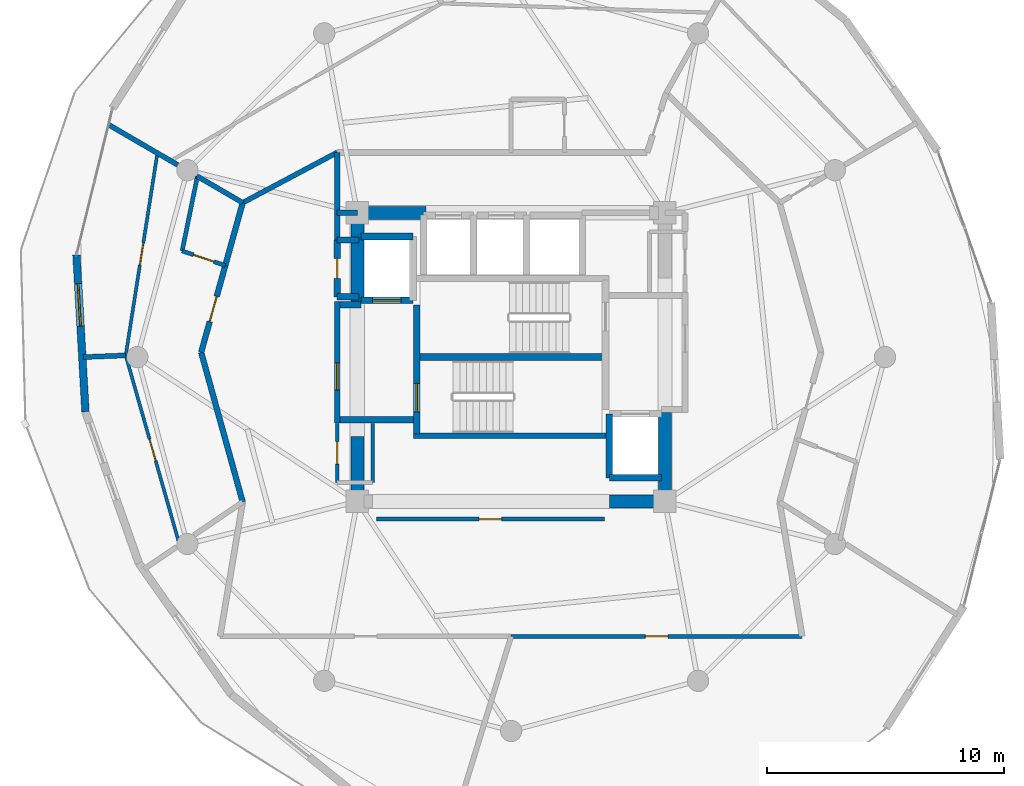
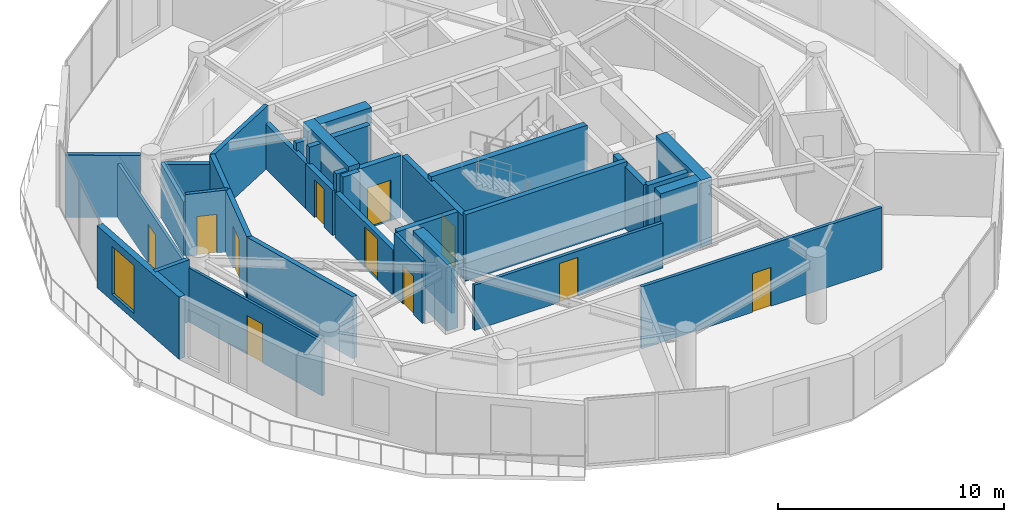
# One storey, part 14 of 18: 36 walls, 11 doors, 1 window, 12 openings.
"""IFC4 building model written with IfcOpenShell, lengths in metres."""

from ifc_helpers import new_model, si_unit, direction, frame, frame_2d, origin, place, context, subcontext, project, spatial, rectangle, extrude, material, layer, layer_set, type_object, element, fill, save


model = new_model("IFC4")

# Units and contexts
model_context = context("Model", 3, precision=1e-05, world=origin(), true_north=direction((0.0, 1.0)))
body_context = subcontext(model_context, "Body", "Model", "MODEL_VIEW")
ifc_project = project(units=[si_unit("LENGTHUNIT", "METRE"), si_unit("AREAUNIT", "SQUARE_METRE"), si_unit("VOLUMEUNIT", "CUBIC_METRE"), si_unit("PLANEANGLEUNIT", "RADIAN"), si_unit("MASSUNIT", "GRAM", prefix="KILO")], contexts=[model_context])

# Site, building, storey
site_placement = place(None, origin())
site = spatial("IfcSite", under=ifc_project, at=site_placement, CompositionType="ELEMENT")
building_placement = place(site_placement, origin())
building = spatial("IfcBuilding", under=site, at=building_placement, Name="Solvirekh Grand Hotel", CompositionType="ELEMENT")
storey_placement = place(building_placement, frame((0.0, 0.0, 198.39990234375)))
storey = spatial("IfcBuildingStorey", under=building, at=storey_placement, Name="L51", CompositionType="ELEMENT", Elevation=198.39990234375)

# Wall
ifc_material_1 = material(Name="Concrete C50/60", Category="concrete")
ifc_layer_1 = layer(ifc_material_1, 0.35009765625)
ifc_layer_set_1 = layer_set([ifc_layer_1], Name="Concrete C50/60")
wall_type_1 = type_object("IfcWallType", Name="CoreDivWall_RC350", PredefinedType="SOLIDWALL", material=ifc_layer_set_1)
wall_1_placement = place(storey_placement, frame((-4.1298828125, -3.324951171875, 0.0), z_axis=(0.0, 0.0, 1.0), x_axis=(1.0, 0.0, 0.0)))
element("IfcWall", 1, at=wall_1_placement, inside=storey, type_object=wall_type_1, Name="L51 core stair box wall ST-S", PredefinedType="SOLIDWALL", context=body_context, shape_type="SweptSolid", body=[
    extrude(rectangle(XDim=8.259765625, YDim=0.25, at=frame_2d((4.1298828125, 0.0))), origin(), (0.0, 0.0, 1.0), 3.60009765625),
])

# Wall, opening, door
ifc_material_2 = material(Name="Concrete C40/50", Category="concrete")
ifc_layer_2 = layer(ifc_material_2, 0.280029296875)
ifc_layer_set_2 = layer_set([ifc_layer_2], Name="Concrete C40/50")
wall_type_2 = type_object("IfcWallType", Name="CoreShaftWall_RC280", PredefinedType="SOLIDWALL", material=ifc_layer_set_2)
wall_2_placement = place(storey_placement, frame((-6.35009765625, 2.39990234375, 0.0), z_axis=(0.0, 0.0, 1.0), x_axis=(1.0, 0.0, 0.0)))
wall_2 = element("IfcWall", 2, at=wall_2_placement, inside=storey, type_object=wall_type_2, Name="L51 FL-1 hoistway S wall", PredefinedType="SOLIDWALL", context=body_context, shape_type="SweptSolid", body=[
    extrude(rectangle(XDim=2.2001953125, YDim=0.280029296875, at=frame_2d((1.10009765625, 0.0))), origin(), (0.0, 0.0, 1.0), 3.360107421875),
])
opening_1_placement = place(wall_2_placement, frame((0.5, 0.0, 0.0)))
opening_1 = element("IfcOpeningElement", 3, at=opening_1_placement, cuts=wall_2, Name="Opening LD02", PredefinedType="OPENING", context=body_context, shape_type="SweptSolid", body=[
    extrude(rectangle(XDim=1.199951171875, YDim=2.199951171875, at=frame_2d((0.60009765625, 1.10009765625))), frame((0.0, 0.14990234375, 0.0), z_axis=(0.0, -1.0, 0.0), x_axis=(1.0, 0.0, 0.0)), (0.0, 0.0, 1.0), 0.300048828125),
])
ifc_material_3 = material(Name="Fire-Rated Steel Door Assembly", Category="steel")
door_type_1 = type_object("IfcDoorType", Name="Door_LiftFF_1200X2200", OperationType="SLIDING_TO_LEFT", PredefinedType="DOOR", material=ifc_material_3)
door_1_placement = place(opening_1_placement, origin())
door_1 = element("IfcDoor", 4, at=door_1_placement, inside=storey, type_object=door_type_1, Name="L51 FL-1 sliding lift landing door", OperationType="SLIDING_TO_LEFT", OverallHeight=2.199951171875, OverallWidth=1.199951171875, PredefinedType="DOOR", context=body_context, shape_type="SweptSolid", body=[
    extrude(rectangle(XDim=1.199951171875, YDim=2.199951171875, at=frame_2d((0.60009765625, 1.10009765625))), frame((0.0, 0.02490234375, 0.0), z_axis=(0.0, -1.0, 0.0), x_axis=(1.0, 0.0, 0.0)), (0.0, 0.0, 1.0), 0.050048828125),
])
fill(opening_1, door_1)

# Walls
for number, where, z_axis, x_axis, name in (
    (5, (-4.14990234375, 5.10009765625, 0.0), (0.0, 0.0, 1.0), (-1.0, 0.0, 0.0), "L51 FL-1 hoistway N wall"),
    (6, (4.14990234375, -5.10009765625, 0.0), (0.0, 0.0, 1.0), (1.0, 0.0, 0.0), "L51 FL-2 hoistway S wall"),
):
    element("IfcWall", number, at=place(storey_placement, frame(where, z_axis=z_axis, x_axis=x_axis)), inside=storey, type_object=wall_type_2, Name=name, PredefinedType="SOLIDWALL", context=body_context, shape_type="SweptSolid", body=[
        extrude(rectangle(XDim=2.2001953125, YDim=0.280029296875, at=frame_2d((1.10009765625, 0.0))), origin(), (0.0, 0.0, 1.0), 3.360107421875),
    ])
wall_3_placement = place(storey_placement, frame((4.14990234375, -2.39990234375, 0.0), z_axis=(0.0, 0.0, 1.0), x_axis=(0.0, -1.0, 0.0)))
element("IfcWall", 7, at=wall_3_placement, inside=storey, type_object=wall_type_2, Name="L51 FL-2 hoistway W wall", PredefinedType="SOLIDWALL", context=body_context, shape_type="SweptSolid", body=[
    extrude(rectangle(XDim=2.7001953125, YDim=0.280029296875, at=frame_2d((1.35009765625, 0.0))), origin(), (0.0, 0.0, 1.0), 3.360107421875),
])

# Wall, opening, door
wall_4_placement = place(storey_placement, frame((-3.989990234375, -3.25, 0.0), z_axis=(0.0, 0.0, 1.0), x_axis=(0.0, 1.0, 0.0)))
wall_4 = element("IfcWall", 8, at=wall_4_placement, inside=storey, type_object=wall_type_2, Name="L51 west stair landing enclosure wall", PredefinedType="SOLIDWALL", context=body_context, shape_type="SweptSolid", body=[
    extrude(rectangle(XDim=5.4599609375, YDim=0.280029296875, at=frame_2d((2.72998046875, 0.0))), origin(), (0.0, 0.0, 1.0), 3.360107421875),
])
opening_2_placement = place(wall_4_placement, frame((0.93701171875, 0.0, 0.0)))
opening_2 = element("IfcOpeningElement", 9, at=opening_2_placement, cuts=wall_4, Name="Opening D05", PredefinedType="OPENING", context=body_context, shape_type="SweptSolid", body=[
    extrude(rectangle(XDim=1.199951171875, YDim=2.199951171875, at=frame_2d((0.60009765625, 1.10009765625))), frame((0.0, 0.14990234375, 0.0), z_axis=(0.0, -1.0, 0.0), x_axis=(1.0, 0.0, 0.0)), (0.0, 0.0, 1.0), 0.300048828125),
])
door_type_2 = type_object("IfcDoorType", Name="Door_StairCore_1200X2200", OperationType="NOTDEFINED", PredefinedType="DOOR", material=ifc_material_3)
door_2_placement = place(opening_2_placement, origin())
door_2 = element("IfcDoor", 10, at=door_2_placement, inside=storey, type_object=door_type_2, Name="L51 exit stair ST-1 fire door", OperationType="SINGLE_SWING_RIGHT", OverallHeight=2.199951171875, OverallWidth=1.199951171875, PredefinedType="DOOR", context=body_context, shape_type="SweptSolid", body=[
    extrude(rectangle(XDim=1.199951171875, YDim=2.199951171875, at=frame_2d((0.60009765625, 1.10009765625))), frame((0.0, 0.02490234375, 0.0), z_axis=(0.0, -1.0, 0.0), x_axis=(1.0, 0.0, 0.0)), (0.0, 0.0, 1.0), 0.050048828125),
])
fill(opening_2, door_2)

# Walls
ifc_layer_3 = layer(ifc_material_1, 0.550048828125)
ifc_layer_set_3 = layer_set([ifc_layer_3], Name="Concrete C50/60")
wall_type_3 = type_object("IfcWallType", Name="CoreWall_RC550", PredefinedType="SHEAR", material=ifc_layer_set_3)
wall_5_placement = place(storey_placement, frame((-3.989990234375, 0.0, 0.0), z_axis=(0.0, 0.0, 1.0), x_axis=(1.0, 0.0, 0.0)))
element("IfcWall", 11, at=wall_5_placement, inside=storey, type_object=wall_type_3, Name="L51 central stair-spine shear wall", PredefinedType="SHEAR", context=body_context, shape_type="SweptSolid", body=[
    extrude(rectangle(XDim=7.97998046875, YDim=0.300048828125, at=frame_2d((3.989990234375, 0.0))), origin(), (0.0, 0.0, 1.0), 3.60009765625),
])
wall_6_placement = place(storey_placement, frame((4.14990234375, -6.10009765625, 0.0), z_axis=(0.0, 0.0, 1.0), x_axis=(1.0, 0.0, 0.0)))
element("IfcWall", 12, at=wall_6_placement, inside=storey, type_object=wall_type_3, Name="L51 core corner shear wall SE-S", PredefinedType="SHEAR", context=body_context, shape_type="SweptSolid", body=[
    extrude(rectangle(XDim=2.0751953125, YDim=0.550048828125, at=frame_2d((1.03759765625, 0.0))), origin(), (0.0, 0.0, 1.0), 3.60009765625),
])
wall_7_placement = place(storey_placement, frame((-6.22509765625, 6.10009765625, 0.0), z_axis=(0.0, 0.0, 1.0), x_axis=(1.0, 0.0, 0.0)))
element("IfcWall", 13, at=wall_7_placement, inside=storey, type_object=wall_type_3, Name="L51 core corner shear wall NW-N", PredefinedType="SHEAR", context=body_context, shape_type="SweptSolid", body=[
    extrude(rectangle(XDim=2.625, YDim=0.550048828125, at=frame_2d((1.3125, 0.0))), origin(), (0.0, 0.0, 1.0), 3.60009765625),
])
wall_8_placement = place(storey_placement, frame((-6.5, 2.35009765625, 0.0), z_axis=(0.0, 0.0, 1.0), x_axis=(0.0, 1.0, 0.0)))
element("IfcWall", 14, at=wall_8_placement, inside=storey, type_object=wall_type_3, Name="L51 core corner shear wall WN-W", PredefinedType="SHEAR", context=body_context, shape_type="SweptSolid", body=[
    extrude(rectangle(XDim=4.02490234375, YDim=0.550048828125, at=frame_2d((2.012451171875, 0.0))), origin(), (0.0, 0.0, 1.0), 3.60009765625),
])
wall_9_placement = place(storey_placement, frame((-6.5, -6.375, 0.0), z_axis=(0.0, 0.0, 1.0), x_axis=(0.0, 1.0, 0.0)))
element("IfcWall", 15, at=wall_9_placement, inside=storey, type_object=wall_type_3, Name="L51 core corner shear wall WS-W", PredefinedType="SHEAR", context=body_context, shape_type="SweptSolid", body=[
    extrude(rectangle(XDim=3.02490234375, YDim=0.550048828125, at=frame_2d((1.512451171875, 0.0))), origin(), (0.0, 0.0, 1.0), 3.60009765625),
])
wall_10_placement = place(storey_placement, frame((6.5, -6.375, 0.0), z_axis=(0.0, 0.0, 1.0), x_axis=(0.0, 1.0, 0.0)))
element("IfcWall", 16, at=wall_10_placement, inside=storey, type_object=wall_type_3, Name="L51 core corner shear wall ES-E", PredefinedType="SHEAR", context=body_context, shape_type="SweptSolid", body=[
    extrude(rectangle(XDim=4.02490234375, YDim=0.550048828125, at=frame_2d((2.012451171875, 0.0))), origin(), (0.0, 0.0, 1.0), 3.60009765625),
])

# Wall, opening, window
ifc_material_4 = material(Name="Precast concrete C45/55", Category="concrete")
ifc_layer_4 = layer(ifc_material_4, 0.320068359375)
ifc_layer_set_4 = layer_set([ifc_layer_4], Name="Precast concrete C45/55")
wall_type_4 = type_object("IfcWallType", Name="ExtLobbyWall_RC320", PredefinedType="SOLIDWALL", material=ifc_layer_set_4)
wall_11_placement = place(storey_placement, frame((-17.990966796875, -2.30908203125, 0.0), z_axis=(0.0, 0.0, 1.0), x_axis=(-0.057275021698, 0.998358438583, 0.0)))
wall_11 = element("IfcWall", 17, at=wall_11_placement, inside=storey, type_object=wall_type_4, Name="L51 exterior structural wall chord 14", PredefinedType="SOLIDWALL", context=body_context, shape_type="SweptSolid", body=[
    extrude(rectangle(XDim=6.636962890625, YDim=0.320068359375, at=frame_2d((3.318359375, 0.0))), origin(), (0.0, 0.0, 1.0), 3.360107421875),
])
opening_3_placement = place(wall_11_placement, frame((3.6240234375, 0.0, 0.35009765625)))
opening_3 = element("IfcOpeningElement", 18, at=opening_3_placement, cuts=wall_11, Name="Opening W02", PredefinedType="OPENING", context=body_context, shape_type="SweptSolid", body=[
    extrude(rectangle(XDim=1.800048828125, YDim=2.60009765625, at=frame_2d((0.89990234375, 1.300048828125))), frame((0.0, 0.169921875, 0.0), z_axis=(0.0, -1.0, 0.0), x_axis=(1.0, 0.0, 0.0)), (0.0, 0.0, 1.0), 0.340087890625),
])
ifc_material_5 = material(Name="Low-E Tinted Bronze Laminated Glass", Category="aluminium")
window_type = type_object("IfcWindowType", Name="Win_LobbyExt_1800X2600", PartitioningType="SINGLE_PANEL", PredefinedType="WINDOW", material=ifc_material_5)
window_placement = place(opening_3_placement, origin())
window = element("IfcWindow", 19, at=window_placement, inside=storey, type_object=window_type, Name="L51 panoramic bronze-framed window 14", OverallHeight=2.60009765625, OverallWidth=1.800048828125, PartitioningType="SINGLE_PANEL", PredefinedType="WINDOW", context=body_context, shape_type="SweptSolid", body=[
    extrude(rectangle(XDim=1.800048828125, YDim=2.60009765625, at=frame_2d((0.89990234375, 1.300048828125))), frame((0.0, 0.030029296875, 0.0), z_axis=(0.0, -1.0, 0.0), x_axis=(1.0, 0.0, 0.0)), (0.0, 0.0, 1.0), 0.06005859375),
])
fill(opening_3, window)

# Wall
ifc_material_6 = material(Name="Acoustic Gypsum Partition Assembly")
ifc_layer_5 = layer(ifc_material_6, 0.1650390625)
ifc_layer_set_5 = layer_set([ifc_layer_5], Name="Acoustic Gypsum Partition Assembly")
wall_type_5 = type_object("IfcWallType", Name="Part_BOH_165", PredefinedType="PARTITIONING", material=ifc_layer_set_5)
wall_12_placement = place(storey_placement, frame((-5.85009765625, -5.300048828125, 0.0), z_axis=(0.0, 0.0, 1.0), x_axis=(0.0, 1.0, 0.0)))
element("IfcWall", 20, at=wall_12_placement, inside=storey, type_object=wall_type_5, Name="L51 L51 Core Linen Store wall 2", PredefinedType="PARTITIONING", context=body_context, shape_type="SweptSolid", body=[
    extrude(rectangle(XDim=2.5, YDim=0.1650390625, at=frame_2d((1.25, 0.0))), origin(), (0.0, 0.0, 1.0), 2.445068359375),
])

# Wall, opening, door
wall_13_placement = place(storey_placement, frame((-7.35009765625, -2.800048828125, 0.0), z_axis=(0.0, 0.0, 1.0), x_axis=(0.0, -1.0, 0.0)))
wall_13 = element("IfcWall", 21, at=wall_13_placement, inside=storey, type_object=wall_type_5, Name="L51 L51 Core Linen Store wall 4", PredefinedType="PARTITIONING", context=body_context, shape_type="SweptSolid", body=[
    extrude(rectangle(XDim=2.5, YDim=0.1650390625, at=frame_2d((1.25, 0.0))), origin(), (0.0, 0.0, 1.0), 3.360107421875),
])
opening_4_placement = place(wall_13_placement, frame((0.77490234375, 0.0, 0.0)))
opening_4 = element("IfcOpeningElement", 22, at=opening_4_placement, cuts=wall_13, Name="Opening D10", PredefinedType="OPENING", context=body_context, shape_type="SweptSolid", body=[
    extrude(rectangle(XDim=0.949951171875, YDim=2.10009765625, at=frame_2d((0.47509765625, 1.050048828125))), frame((0.0, 0.092529296875, 0.0), z_axis=(0.0, -1.0, 0.0), x_axis=(1.0, 0.0, 0.0)), (0.0, 0.0, 1.0), 0.18505859375),
])
ifc_material_7 = material(Name="Anodized Bronze Aluminium 6063-T6", Category="aluminium")
door_type_3 = type_object("IfcDoorType", Name="Door_RoomInt_950X2100", OperationType="NOTDEFINED", PredefinedType="DOOR", material=ifc_material_7)
door_3_placement = place(opening_4_placement, origin())
door_3 = element("IfcDoor", 23, at=door_3_placement, inside=storey, type_object=door_type_3, Name="L51 L51 Core Linen Store door", OperationType="SINGLE_SWING_LEFT", OverallHeight=2.10009765625, OverallWidth=0.949951171875, PredefinedType="DOOR", context=body_context, shape_type="SweptSolid", body=[
    extrude(rectangle(XDim=0.949951171875, YDim=2.10009765625, at=frame_2d((0.47509765625, 1.050048828125))), frame((0.0, 0.02490234375, 0.0), z_axis=(0.0, -1.0, 0.0), x_axis=(1.0, 0.0, 0.0)), (0.0, 0.0, 1.0), 0.050048828125),
])
fill(opening_4, door_3)

wall_14_placement = place(storey_placement, frame((-5.699951171875, -6.85009765625, 0.0), z_axis=(0.0, 0.0, 1.0), x_axis=(1.0, 0.0, 0.0)))
wall_14 = element("IfcWall", 24, at=wall_14_placement, inside=storey, type_object=wall_type_5, Name="L51 Housekeeping & Linen Store wall 1", PredefinedType="PARTITIONING", context=body_context, shape_type="SweptSolid", body=[
    extrude(rectangle(XDim=9.64990234375, YDim=0.1650390625, at=frame_2d((4.824951171875, 0.0))), origin(), (0.0, 0.0, 1.0), 2.445068359375),
])
opening_5_placement = place(wall_14_placement, frame((4.35009765625, 0.0, 0.0)))
opening_5 = element("IfcOpeningElement", 25, at=opening_5_placement, cuts=wall_14, Name="Opening D10", PredefinedType="OPENING", context=body_context, shape_type="SweptSolid", body=[
    extrude(rectangle(XDim=0.949951171875, YDim=2.10009765625, at=frame_2d((0.47509765625, 1.050048828125))), frame((0.0, 0.092529296875, 0.0), z_axis=(0.0, -1.0, 0.0), x_axis=(1.0, 0.0, 0.0)), (0.0, 0.0, 1.0), 0.18505859375),
])
door_4_placement = place(opening_5_placement, origin())
door_4 = element("IfcDoor", 26, at=door_4_placement, inside=storey, type_object=door_type_3, Name="L51 Housekeeping & Linen Store door", OperationType="SINGLE_SWING_LEFT", OverallHeight=2.10009765625, OverallWidth=0.949951171875, PredefinedType="DOOR", context=body_context, shape_type="SweptSolid", body=[
    extrude(rectangle(XDim=0.949951171875, YDim=2.10009765625, at=frame_2d((0.47509765625, 1.050048828125))), frame((0.0, 0.02490234375, 0.0), z_axis=(0.0, -1.0, 0.0), x_axis=(1.0, 0.0, 0.0)), (0.0, 0.0, 1.0), 0.050048828125),
])
fill(opening_5, door_4)

wall_15_placement = place(storey_placement, frame((0.0, -11.800048828125, 0.0), z_axis=(0.0, 0.0, 1.0), x_axis=(1.0, 0.0, 0.0)))
wall_15 = element("IfcWall", 27, at=wall_15_placement, inside=storey, type_object=wall_type_5, Name="L51 L51 Butler Valet & Linen Steward Room entrance wall", PredefinedType="PARTITIONING", context=body_context, shape_type="SweptSolid", body=[
    extrude(rectangle(XDim=12.300048828125, YDim=0.1650390625, at=frame_2d((6.14990234375, 0.0))), origin(), (0.0, 0.0, 1.0), 3.360107421875),
])
opening_6_placement = place(wall_15_placement, frame((5.675048828125, 0.0, 0.0)))
opening_6 = element("IfcOpeningElement", 28, at=opening_6_placement, cuts=wall_15, Name="Opening D10", PredefinedType="OPENING", context=body_context, shape_type="SweptSolid", body=[
    extrude(rectangle(XDim=0.949951171875, YDim=2.10009765625, at=frame_2d((0.47509765625, 1.050048828125))), frame((0.0, 0.092529296875, 0.0), z_axis=(0.0, -1.0, 0.0), x_axis=(1.0, 0.0, 0.0)), (0.0, 0.0, 1.0), 0.18505859375),
])
door_5_placement = place(opening_6_placement, origin())
door_5 = element("IfcDoor", 29, at=door_5_placement, inside=storey, type_object=door_type_3, Name="L51 L51 Butler Valet & Linen Steward Room entrance door", OperationType="SINGLE_SWING_LEFT", OverallHeight=2.10009765625, OverallWidth=0.949951171875, PredefinedType="DOOR", context=body_context, shape_type="SweptSolid", body=[
    extrude(rectangle(XDim=0.949951171875, YDim=2.10009765625, at=frame_2d((0.47509765625, 1.050048828125))), frame((0.0, 0.02490234375, 0.0), z_axis=(0.0, -1.0, 0.0), x_axis=(1.0, 0.0, 0.0)), (0.0, 0.0, 1.0), 0.050048828125),
])
fill(opening_6, door_5)

ifc_layer_6 = layer(ifc_material_6, 0.239990234375)
ifc_layer_set_6 = layer_set([ifc_layer_6], Name="Acoustic Gypsum Partition Assembly")
wall_type_6 = type_object("IfcWallType", Name="Part_Corridor_240", PredefinedType="PARTITIONING", material=ifc_layer_set_6)
wall_16_placement = place(storey_placement, frame((-7.35009765625, -2.780029296875, 0.0), z_axis=(0.0, 0.0, 1.0), x_axis=(0.0, 1.0, 0.0)))
wall_16 = element("IfcWall", 30, at=wall_16_placement, inside=storey, type_object=wall_type_6, Name="L51 west firefighting lobby smoke screen wall", PredefinedType="PARTITIONING", context=body_context, shape_type="SweptSolid", body=[
    extrude(rectangle(XDim=5.1201171875, YDim=0.239990234375, at=frame_2d((2.56005859375, 0.0))), origin(), (0.0, 0.0, 1.0), 2.445068359375),
])
opening_7_placement = place(wall_16_placement, frame((1.388916015625, 0.0, 0.0)))
opening_7 = element("IfcOpeningElement", 31, at=opening_7_placement, cuts=wall_16, Name="Opening D06", PredefinedType="OPENING", context=body_context, shape_type="SweptSolid", body=[
    extrude(rectangle(XDim=1.14990234375, YDim=2.199951171875, at=frame_2d((0.574951171875, 1.10009765625))), frame((0.0, 0.1298828125, 0.0), z_axis=(0.0, -1.0, 0.0), x_axis=(1.0, 0.0, 0.0)), (0.0, 0.0, 1.0), 0.260009765625),
])
door_type_4 = type_object("IfcDoorType", Name="Door_FFLobby_1150X2200", OperationType="NOTDEFINED", PredefinedType="DOOR", material=ifc_material_3)
door_6_placement = place(opening_7_placement, origin())
door_6 = element("IfcDoor", 32, at=door_6_placement, inside=storey, type_object=door_type_4, Name="L51 west firefighting lobby smoke door", OperationType="SINGLE_SWING_RIGHT", OverallHeight=2.199951171875, OverallWidth=1.14990234375, PredefinedType="DOOR", context=body_context, shape_type="SweptSolid", body=[
    extrude(rectangle(XDim=1.14990234375, YDim=2.199951171875, at=frame_2d((0.574951171875, 1.10009765625))), frame((0.0, 0.02490234375, 0.0), z_axis=(0.0, -1.0, 0.0), x_axis=(1.0, 0.0, 0.0)), (0.0, 0.0, 1.0), 0.050048828125),
])
fill(opening_7, door_6)

# Walls
wall_17_placement = place(storey_placement, frame((-7.35009765625, 4.949951171875, 0.0), z_axis=(0.0, 0.0, 1.0), x_axis=(0.0, 1.0, 0.0)))
element("IfcWall", 33, at=wall_17_placement, inside=storey, type_object=wall_type_6, Name="L51 north lift lobby west wall", PredefinedType="PARTITIONING", context=body_context, shape_type="SweptSolid", body=[
    extrude(rectangle(XDim=3.699951171875, YDim=0.239990234375, at=frame_2d((1.85009765625, 0.0))), origin(), (0.0, 0.0, 1.0), 2.445068359375),
])
wall_18_placement = place(storey_placement, frame((-7.35009765625, 6.10009765625, 0.0), z_axis=(0.0, 0.0, 1.0), x_axis=(1.0, 0.0, 0.0)))
element("IfcWall", 34, at=wall_18_placement, inside=storey, type_object=wall_type_6, Name="L51 NW core corner closure wall", PredefinedType="PARTITIONING", context=body_context, shape_type="SweptSolid", body=[
    extrude(rectangle(XDim=0.85009765625, YDim=0.239990234375, at=frame_2d((0.425048828125, 0.0))), origin(), (0.0, 0.0, 1.0), 2.8759765625),
])
wall_19_placement = place(storey_placement, frame((-11.344970703125, 6.52490234375, 0.0), z_axis=(0.0, 0.0, 1.0), x_axis=(-0.267401739017, -0.963585133743, 0.0)))
element("IfcWall", 35, at=wall_19_placement, inside=storey, type_object=wall_type_6, Name="L51 En-suite Bathroom 5302 corridor backing wall", PredefinedType="PARTITIONING", context=body_context, shape_type="SweptSolid", body=[
    extrude(rectangle(XDim=2.75634765625, YDim=0.239990234375, at=frame_2d((1.378173828125, 0.0))), origin(), (0.0, 0.0, 1.0), 3.360107421875),
])
wall_20_placement = place(storey_placement, frame((-13.10009765625, 0.199951171875, 0.0), z_axis=(0.0, 0.0, 1.0), x_axis=(0.26738871748, -0.963588747218, 0.0)))
element("IfcWall", 36, at=wall_20_placement, inside=storey, type_object=wall_type_6, Name="L51 Executive Suite 5302 Living Room corridor wall 1", PredefinedType="PARTITIONING", context=body_context, shape_type="SweptSolid", body=[
    extrude(rectangle(XDim=6.56396484375, YDim=0.239990234375, at=frame_2d((3.281982421875, 0.0))), origin(), (0.0, 0.0, 1.0), 3.360107421875),
])

# Wall, opening, door
wall_21_placement = place(storey_placement, frame((-12.08203125, 3.868896484375, 0.0), z_axis=(0.0, 0.0, 1.0), x_axis=(-0.267379290897, -0.963591362975, 0.0)))
wall_21 = element("IfcWall", 37, at=wall_21_placement, inside=storey, type_object=wall_type_6, Name="L51 Executive Suite 5302 Living Room entrance wall", PredefinedType="PARTITIONING", context=body_context, shape_type="SweptSolid", body=[
    extrude(rectangle(XDim=3.8076171875, YDim=0.239990234375, at=frame_2d((1.90380859375, 0.0))), origin(), (0.0, 0.0, 1.0), 3.360107421875),
])
opening_8_placement = place(wall_21_placement, frame((1.35400390625, 0.0, 0.0)))
opening_8 = element("IfcOpeningElement", 38, at=opening_8_placement, cuts=wall_21, Name="Opening D08", PredefinedType="OPENING", context=body_context, shape_type="SweptSolid", body=[
    extrude(rectangle(XDim=1.10009765625, YDim=2.300048828125, at=frame_2d((0.550048828125, 1.14990234375))), frame((0.0, 0.1298828125, 0.0), z_axis=(0.0, -1.0, 0.0), x_axis=(1.0, 0.0, 0.0)), (0.0, 0.0, 1.0), 0.260009765625),
])
door_type_5 = type_object("IfcDoorType", Name="Door_SuiteEntry_1100X2300", OperationType="NOTDEFINED", PredefinedType="DOOR", material=ifc_material_3)
door_7_placement = place(opening_8_placement, origin())
door_7 = element("IfcDoor", 39, at=door_7_placement, inside=storey, type_object=door_type_5, Name="L51 Executive Suite 5302 Living Room entrance door", OperationType="SINGLE_SWING_LEFT", OverallHeight=2.300048828125, OverallWidth=1.10009765625, PredefinedType="DOOR", context=body_context, shape_type="SweptSolid", body=[
    extrude(rectangle(XDim=1.10009765625, YDim=2.300048828125, at=frame_2d((0.550048828125, 1.14990234375))), frame((0.0, 0.02490234375, 0.0), z_axis=(0.0, -1.0, 0.0), x_axis=(1.0, 0.0, 0.0)), (0.0, 0.0, 1.0), 0.050048828125),
])
fill(opening_8, door_7)

# Walls
ifc_layer_7 = layer(ifc_material_6, 0.260009765625)
ifc_layer_set_7 = layer_set([ifc_layer_7], Name="Acoustic Gypsum Partition Assembly")
wall_type_7 = type_object("IfcWallType", Name="Part_LobbyFF_260", PredefinedType="PARTITIONING", material=ifc_layer_set_7)
wall_22_placement = place(storey_placement, frame((-7.22509765625, -2.64990234375, 0.0), z_axis=(0.0, 0.0, 1.0), x_axis=(1.0, 0.0, 0.0)))
element("IfcWall", 40, at=wall_22_placement, inside=storey, type_object=wall_type_7, Name="L51 west firefighting lobby south partition", PredefinedType="PARTITIONING", context=body_context, shape_type="SweptSolid", body=[
    extrude(rectangle(XDim=3.09521484375, YDim=0.260009765625, at=frame_2d((1.547607421875, 0.0))), origin(), (0.0, 0.0, 1.0), 3.360107421875),
])
wall_23_placement = place(storey_placement, frame((-7.22509765625, 2.2099609375, 0.0), z_axis=(0.0, 0.0, 1.0), x_axis=(1.0, 0.0, 0.0)))
element("IfcWall", 41, at=wall_23_placement, inside=storey, type_object=wall_type_7, Name="L51 west firefighting lobby NW cheek", PredefinedType="PARTITIONING", context=body_context, shape_type="SweptSolid", body=[
    extrude(rectangle(XDim=0.875, YDim=0.260009765625, at=frame_2d((0.4375, 0.0))), origin(), (0.0, 0.0, 1.0), 3.360107421875),
])
for number, where, z_axis, x_axis, name in (
    (42, (-7.35009765625, 4.949951171875, 0.0), (0.0, 0.0, 1.0), (1.0, 0.0, 0.0), "L51 NW telecom metering cupboard north wall"),
    (43, (-7.35009765625, 2.550048828125, 0.0), (0.0, 0.0, 1.0), (1.0, 0.0, 0.0), "L51 NW telecom metering cupboard south wall"),
):
    element("IfcWall", number, at=place(storey_placement, frame(where, z_axis=z_axis, x_axis=x_axis)), inside=storey, type_object=wall_type_7, Name=name, PredefinedType="PARTITIONING", context=body_context, shape_type="SweptSolid", body=[
        extrude(rectangle(XDim=0.93017578125, YDim=0.260009765625, at=frame_2d((0.465087890625, 0.0))), origin(), (0.0, 0.0, 1.0), 3.360107421875),
    ])

# Wall, opening, door
wall_24_placement = place(storey_placement, frame((-7.35009765625, 2.550048828125, 0.0), z_axis=(0.0, 0.0, 1.0), x_axis=(0.0, 1.0, 0.0)))
wall_24 = element("IfcWall", 44, at=wall_24_placement, inside=storey, type_object=wall_type_7, Name="L51 NW telecom metering cupboard access wall", PredefinedType="PARTITIONING", context=body_context, shape_type="SweptSolid", body=[
    extrude(rectangle(XDim=2.39990234375, YDim=0.260009765625, at=frame_2d((1.199951171875, 0.0))), origin(), (0.0, 0.0, 1.0), 2.445068359375),
])
opening_9_placement = place(wall_24_placement, frame((0.77490234375, 0.0, 0.0)))
opening_9 = element("IfcOpeningElement", 45, at=opening_9_placement, cuts=wall_24, Name="Opening D13", PredefinedType="OPENING", context=body_context, shape_type="SweptSolid", body=[
    extrude(rectangle(XDim=0.85009765625, YDim=2.050048828125, at=frame_2d((0.425048828125, 1.02490234375))), frame((0.0, 0.14013671875, 0.0), z_axis=(0.0, -1.0, 0.0), x_axis=(1.0, 0.0, 0.0)), (0.0, 0.0, 1.0), 0.280029296875),
])
door_type_6 = type_object("IfcDoorType", Name="Door_RiserShaft_850X2050", OperationType="NOTDEFINED", PredefinedType="DOOR", material=ifc_material_3)
door_8_placement = place(opening_9_placement, origin())
door_8 = element("IfcDoor", 46, at=door_8_placement, inside=storey, type_object=door_type_6, Name="L51 telecom metering cupboard access door", OperationType="SINGLE_SWING_RIGHT", OverallHeight=2.050048828125, OverallWidth=0.85009765625, PredefinedType="DOOR", context=body_context, shape_type="SweptSolid", body=[
    extrude(rectangle(XDim=0.85009765625, YDim=2.050048828125, at=frame_2d((0.425048828125, 1.02490234375))), frame((0.0, 0.02490234375, 0.0), z_axis=(0.0, -1.0, 0.0), x_axis=(1.0, 0.0, 0.0)), (0.0, 0.0, 1.0), 0.050048828125),
])
fill(opening_9, door_8)

ifc_layer_8 = layer(ifc_material_6, 0.135009765625)
ifc_layer_set_8 = layer_set([ifc_layer_8], Name="Acoustic Gypsum Partition Assembly")
wall_type_8 = type_object("IfcWallType", Name="Part_RoomInt_135", PredefinedType="PARTITIONING", material=ifc_layer_set_8)
wall_25_placement = place(storey_placement, frame((-14.949951171875, 8.6220703125, 0.0), z_axis=(0.0, 0.0, 1.0), x_axis=(-0.154734004618, -0.98795616695, 0.0)))
wall_25 = element("IfcWall", 47, at=wall_25_placement, inside=storey, type_object=wall_type_8, Name="L51 Executive Suite 5302 Living Room bedroom screen wall", PredefinedType="PARTITIONING", context=body_context, shape_type="SweptSolid", body=[
    extrude(rectangle(XDim=8.654296875, YDim=0.135009765625, at=frame_2d((4.3271484375, 0.0))), origin(), (0.0, 0.0, 1.0), 2.92919921875),
])
opening_10_placement = place(wall_25_placement, frame((3.85205078125, 0.0, 0.0)))
opening_10 = element("IfcOpeningElement", 48, at=opening_10_placement, cuts=wall_25, Name="Opening D10", PredefinedType="OPENING", context=body_context, shape_type="SweptSolid", body=[
    extrude(rectangle(XDim=0.949951171875, YDim=2.10009765625, at=frame_2d((0.47509765625, 1.050048828125))), frame((0.0, 0.07763671875, 0.0), z_axis=(0.0, -1.0, 0.0), x_axis=(1.0, 0.0, 0.0)), (0.0, 0.0, 1.0), 0.155029296875),
])
door_9_placement = place(opening_10_placement, origin())
door_9 = element("IfcDoor", 49, at=door_9_placement, inside=storey, type_object=door_type_3, Name="L51 Executive Suite 5302 Living Room master bedroom door", OperationType="SINGLE_SWING_RIGHT", OverallHeight=2.10009765625, OverallWidth=0.949951171875, PredefinedType="DOOR", context=body_context, shape_type="SweptSolid", body=[
    extrude(rectangle(XDim=0.949951171875, YDim=2.10009765625, at=frame_2d((0.47509765625, 1.050048828125))), frame((0.0, 0.02490234375, 0.0), z_axis=(0.0, -1.0, 0.0), x_axis=(1.0, 0.0, 0.0)), (0.0, 0.0, 1.0), 0.050048828125),
])
fill(opening_10, door_9)

wall_26_placement = place(storey_placement, frame((-16.2890625, 0.072021484375, 0.0), z_axis=(0.0, 0.0, 1.0), x_axis=(0.273369276922, -0.961909163297, 0.0)))
wall_26 = element("IfcWall", 50, at=wall_26_placement, inside=storey, type_object=wall_type_8, Name="L51 Executive Suite 5302 Panorama Suite Study bedroom screen wall", PredefinedType="PARTITIONING", context=body_context, shape_type="SweptSolid", body=[
    extrude(rectangle(XDim=8.326171875, YDim=0.135009765625, at=frame_2d((4.1630859375, 0.0))), origin(), (0.0, 0.0, 1.0), 2.92919921875),
])
opening_11_placement = place(wall_26_placement, frame((3.68798828125, 0.0, 0.0)))
opening_11 = element("IfcOpeningElement", 51, at=opening_11_placement, cuts=wall_26, Name="Opening D10", PredefinedType="OPENING", context=body_context, shape_type="SweptSolid", body=[
    extrude(rectangle(XDim=0.949951171875, YDim=2.10009765625, at=frame_2d((0.47509765625, 1.050048828125))), frame((0.0, 0.07763671875, 0.0), z_axis=(0.0, -1.0, 0.0), x_axis=(1.0, 0.0, 0.0)), (0.0, 0.0, 1.0), 0.155029296875),
])
door_10_placement = place(opening_11_placement, origin())
door_10 = element("IfcDoor", 52, at=door_10_placement, inside=storey, type_object=door_type_3, Name="L51 Executive Suite 5302 Panorama Suite Study master bedroom door", OperationType="SINGLE_SWING_LEFT", OverallHeight=2.10009765625, OverallWidth=0.949951171875, PredefinedType="DOOR", context=body_context, shape_type="SweptSolid", body=[
    extrude(rectangle(XDim=0.949951171875, YDim=2.10009765625, at=frame_2d((0.47509765625, 1.050048828125))), frame((0.0, 0.02490234375, 0.0), z_axis=(0.0, -1.0, 0.0), x_axis=(1.0, 0.0, 0.0)), (0.0, 0.0, 1.0), 0.050048828125),
])
fill(opening_11, door_10)

# Walls
ifc_layer_9 = layer(ifc_material_6, 0.2099609375)
ifc_layer_set_9 = layer_set([ifc_layer_9], Name="Acoustic Gypsum Partition Assembly")
wall_type_9 = type_object("IfcWallType", Name="Part_SuiteDemise_210", PredefinedType="PARTITIONING", material=ifc_layer_set_9)
wall_27_placement = place(storey_placement, frame((-11.344970703125, 6.52490234375, 0.0), z_axis=(0.0, 0.0, 1.0), x_axis=(-0.864228712324, 0.5030991282, 0.0)))
element("IfcWall", 53, at=wall_27_placement, inside=storey, type_object=wall_type_9, Name="L51 suite radial wall 6 (A)", PredefinedType="PARTITIONING", context=body_context, shape_type="SweptSolid", body=[
    extrude(rectangle(XDim=2.242431640625, YDim=0.2099609375, at=frame_2d((1.12109375, 0.0))), origin(), (0.0, 0.0, 1.0), 2.8759765625),
])
wall_28_placement = place(storey_placement, frame((-14.095947265625, 8.125, 0.0), z_axis=(0.0, 0.0, 1.0), x_axis=(-0.864328084311, 0.50292838722, 0.0)))
element("IfcWall", 54, at=wall_28_placement, inside=storey, type_object=wall_type_9, Name="L51 suite radial wall 6 (B)", PredefinedType="PARTITIONING", context=body_context, shape_type="SweptSolid", body=[
    extrude(rectangle(XDim=3.33447265625, YDim=0.2099609375, at=frame_2d((1.667236328125, 0.0))), origin(), (0.0, 0.0, 1.0), 3.360107421875),
])
wall_29_placement = place(storey_placement, frame((-11.344970703125, 6.52490234375, 0.0), z_axis=(0.0, 0.0, 1.0), x_axis=(0.882866201619, 0.469624605445, 0.0)))
element("IfcWall", 55, at=wall_29_placement, inside=storey, type_object=wall_type_9, Name="L51 Panorama Suite 5301 Inner Suite Lounge dividing partition 1", PredefinedType="PARTITIONING", context=body_context, shape_type="SweptSolid", body=[
    extrude(rectangle(XDim=4.52490234375, YDim=0.2099609375, at=frame_2d((2.262451171875, 0.0))), origin(), (0.0, 0.0, 1.0), 3.360107421875),
])
wall_30_placement = place(storey_placement, frame((-16.2890625, 0.072021484375, 0.0), z_axis=(0.0, 0.0, 1.0), x_axis=(-0.999195082929, -0.040114663781, 0.0)))
element("IfcWall", 56, at=wall_30_placement, inside=storey, type_object=wall_type_9, Name="L51 Executive Suite 5302 Living Room dividing partition 1", PredefinedType="PARTITIONING", context=body_context, shape_type="SweptSolid", body=[
    extrude(rectangle(XDim=1.79541015625, YDim=0.2099609375, at=frame_2d((0.897705078125, 0.0))), origin(), (0.0, 0.0, 1.0), 3.360107421875),
])
ifc_layer_10 = layer(ifc_material_6, 0.175048828125)
ifc_layer_set_10 = layer_set([ifc_layer_10], Name="Acoustic Gypsum Partition Assembly")
wall_type_10 = type_object("IfcWallType", Name="Plumb_Ensuite_175", PredefinedType="PLUMBINGWALL", material=ifc_layer_set_10)
wall_31_placement = place(storey_placement, frame((-13.260009765625, 7.638916015625, 0.0), z_axis=(0.0, 0.0, 1.0), x_axis=(-0.200141353017, -0.979767032928, 0.0)))
element("IfcWall", 57, at=wall_31_placement, inside=storey, type_object=wall_type_10, Name="L51 En-suite Bathroom 5302 outer plumbing wall", PredefinedType="PLUMBINGWALL", context=body_context, shape_type="SweptSolid", body=[
    extrude(rectangle(XDim=3.218017578125, YDim=0.175048828125, at=frame_2d((1.60888671875, 0.0))), origin(), (0.0, 0.0, 1.0), 2.92919921875),
])

# Wall, opening, door
wall_32_placement = place(storey_placement, frame((-12.08203125, 3.868896484375, 0.0), z_axis=(0.0, 0.0, 1.0), x_axis=(-0.947136489751, 0.320830905278, 0.0)))
wall_32 = element("IfcWall", 58, at=wall_32_placement, inside=storey, type_object=wall_type_10, Name="L51 En-suite Bathroom 5302 entry plumbing wall", PredefinedType="PLUMBINGWALL", context=body_context, shape_type="SweptSolid", body=[
    extrude(rectangle(XDim=1.923828125, YDim=0.175048828125, at=frame_2d((0.9619140625, 0.0))), origin(), (0.0, 0.0, 1.0), 3.360107421875),
])
opening_12_placement = place(wall_32_placement, frame((0.511962890625, 0.0, 0.0)))
opening_12 = element("IfcOpeningElement", 59, at=opening_12_placement, cuts=wall_32, Name="Opening D09", PredefinedType="OPENING", context=body_context, shape_type="SweptSolid", body=[
    extrude(rectangle(XDim=0.89990234375, YDim=2.10009765625, at=frame_2d((0.449951171875, 1.050048828125))), frame((0.0, 0.09765625, 0.0), z_axis=(0.0, -1.0, 0.0), x_axis=(1.0, 0.0, 0.0)), (0.0, 0.0, 1.0), 0.195068359375),
])
door_type_7 = type_object("IfcDoorType", Name="Door_Ensuite_900X2100", OperationType="NOTDEFINED", PredefinedType="DOOR", material=ifc_material_7)
door_11_placement = place(opening_12_placement, origin())
door_11 = element("IfcDoor", 60, at=door_11_placement, inside=storey, type_object=door_type_7, Name="L51 En-suite Bathroom 5302 door", OperationType="SINGLE_SWING_RIGHT", OverallHeight=2.10009765625, OverallWidth=0.89990234375, PredefinedType="DOOR", context=body_context, shape_type="SweptSolid", body=[
    extrude(rectangle(XDim=0.89990234375, YDim=2.10009765625, at=frame_2d((0.449951171875, 1.050048828125))), frame((0.0, 0.02490234375, 0.0), z_axis=(0.0, -1.0, 0.0), x_axis=(1.0, 0.0, 0.0)), (0.0, 0.0, 1.0), 0.050048828125),
])
fill(opening_12, door_11)

save(model, "model.ifc")
